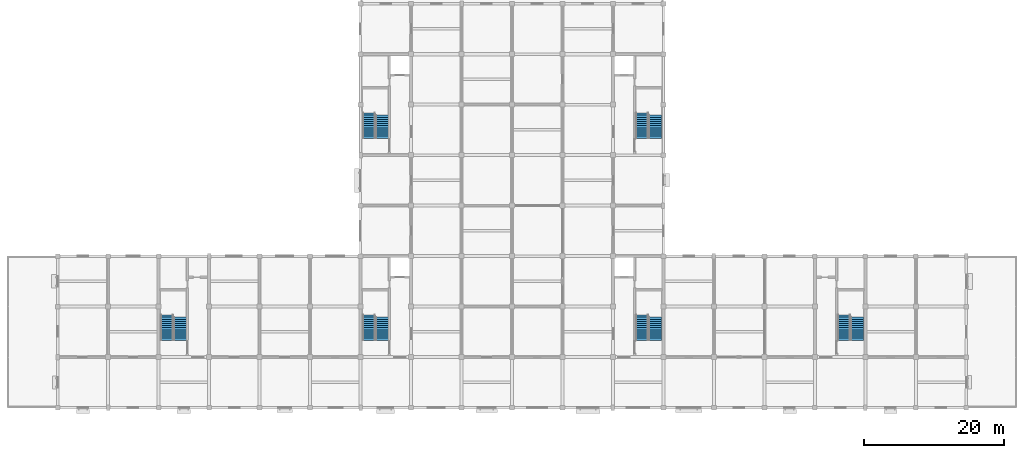
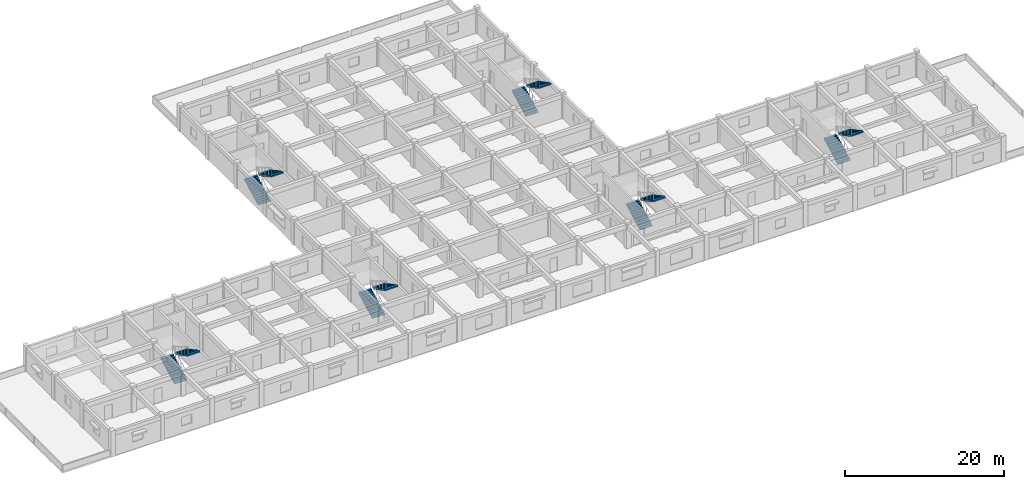
# One storey, part 11 of 16: 12 stair flights, 6 elements without a shape of their own.
"""IFC4 building model written with IfcOpenShell, lengths in metres."""

from ifc_helpers import new_model, si_unit, direction, frame, origin, place, context, subcontext, project, spatial, polyline, outline, extrude, material, type_object, element, aggregate, save


model = new_model("IFC4")

# Units and contexts
model_context = context("Model", 3, precision=1e-05, world=origin(), true_north=direction((0.0, 1.0)))
body_context = subcontext(model_context, "Body", "Model", "MODEL_VIEW")
ifc_project = project(units=[si_unit("LENGTHUNIT", "METRE"), si_unit("AREAUNIT", "SQUARE_METRE"), si_unit("VOLUMEUNIT", "CUBIC_METRE"), si_unit("PLANEANGLEUNIT", "RADIAN"), si_unit("MASSUNIT", "GRAM", prefix="KILO")], contexts=[model_context])

# Site, building, storey
site_placement = place(None, origin())
site = spatial("IfcSite", under=ifc_project, at=site_placement, CompositionType="ELEMENT")
building_placement = place(site_placement, origin())
building = spatial("IfcBuilding", under=site, at=building_placement, Name="Cendaluz Park School", CompositionType="ELEMENT")
storey_placement = place(building_placement, frame((0.0, 0.0, 22.60009765625)))
storey = spatial("IfcBuildingStorey", under=building, at=storey_placement, Name="L05", CompositionType="ELEMENT", Elevation=22.60009765625)

# Stair, stair flight
ifc_material = material(Name="Concrete C40/50", Category="concrete")
stair_type = type_object("IfcStairType", Name="ST-400-180", PredefinedType="HALF_TURN_STAIR", material=ifc_material)
stair_1_placement = place(storey_placement, origin())
stair_1 = element("IfcStair", 1, at=stair_1_placement, inside=storey, type_object=stair_type, Name="ST-L05-C1", PredefinedType="HALF_TURN_STAIR")
stair_flight_type_1 = type_object("IfcStairFlightType", Name="SF-12-160-180", PredefinedType="STRAIGHT", material=ifc_material)
stair_flight_1_placement = place(storey_placement, frame((67.860107421875, 20.10009765625, 2.079833984375), z_axis=(0.0, 0.0, 1.0), x_axis=(0.0, -1.0, 0.0)))
stair_flight_1 = element("IfcStairFlight", 2, at=stair_flight_1_placement, type_object=stair_flight_type_1, Name="SF-L05-C1-2", NumberOfRisers=12, NumberOfTreads=11, PredefinedType="STRAIGHT", RiserHeight=0.16, TreadLength=0.3, context=body_context, shape_type="SweptSolid", body=[
    extrude(outline(polyline([(0.0, 0.0), (0.0, 0.159912109375), (0.300048828125, 0.159912109375), (0.300048828125, 0.320068359375), (0.60009765625, 0.320068359375), (0.60009765625, 0.47998046875), (0.89990234375, 0.47998046875), (0.89990234375, 0.639892578125), (1.199951171875, 0.639892578125), (1.199951171875, 0.800048828125), (1.5, 0.800048828125), (1.5, 0.9599609375), (1.800048828125, 0.9599609375), (1.800048828125, 1.1201171875), (2.10009765625, 1.1201171875), (2.10009765625, 1.280029296875), (2.39990234375, 1.280029296875), (2.39990234375, 1.43994140625), (2.699951171875, 1.43994140625), (2.699951171875, 1.60009765625), (3.0, 1.60009765625), (3.0, 1.760009765625), (3.300048828125, 1.760009765625), (3.300048828125, 1.919921875), (3.300048828125, 1.55615234375), (0.38232421875, 0.0), (0.0, 0.0)])), frame((0.0, 0.89990234375, 0.0), z_axis=(0.0, -1.0, 0.0), x_axis=(1.0, 0.0, 0.0)), (0.0, 0.0, 1.0), 1.800048828125),
])

stair_2_placement = place(storey_placement, origin())
stair_2 = element("IfcStair", 3, at=stair_2_placement, inside=storey, type_object=stair_type, Name="ST-L05-C2", PredefinedType="HALF_TURN_STAIR")
stair_flight_2_placement = place(storey_placement, frame((106.81005859375, 20.10009765625, 2.079833984375), z_axis=(0.0, 0.0, 1.0), x_axis=(0.0, -1.0, 0.0)))
stair_flight_2 = element("IfcStairFlight", 4, at=stair_flight_2_placement, type_object=stair_flight_type_1, Name="SF-L05-C2-2", NumberOfRisers=12, NumberOfTreads=11, PredefinedType="STRAIGHT", RiserHeight=0.16, TreadLength=0.3, context=body_context, shape_type="SweptSolid", body=[
    extrude(outline(polyline([(0.0, 0.0), (0.0, 0.159912109375), (0.300048828125, 0.159912109375), (0.300048828125, 0.320068359375), (0.60009765625, 0.320068359375), (0.60009765625, 0.47998046875), (0.89990234375, 0.47998046875), (0.89990234375, 0.639892578125), (1.199951171875, 0.639892578125), (1.199951171875, 0.800048828125), (1.5, 0.800048828125), (1.5, 0.9599609375), (1.800048828125, 0.9599609375), (1.800048828125, 1.1201171875), (2.10009765625, 1.1201171875), (2.10009765625, 1.280029296875), (2.39990234375, 1.280029296875), (2.39990234375, 1.43994140625), (2.699951171875, 1.43994140625), (2.699951171875, 1.60009765625), (3.0, 1.60009765625), (3.0, 1.760009765625), (3.300048828125, 1.760009765625), (3.300048828125, 1.919921875), (3.300048828125, 1.55615234375), (0.38232421875, 0.0), (0.0, 0.0)])), frame((0.0, 0.89990234375, 0.0), z_axis=(0.0, -1.0, 0.0), x_axis=(1.0, 0.0, 0.0)), (0.0, 0.0, 1.0), 1.800048828125),
])

stair_3_placement = place(storey_placement, origin())
stair_3 = element("IfcStair", 5, at=stair_3_placement, inside=storey, type_object=stair_type, Name="ST-L05-C3", PredefinedType="HALF_TURN_STAIR")
stair_flight_3_placement = place(storey_placement, frame((67.860107421875, 48.89990234375, 2.079833984375), z_axis=(0.0, 0.0, 1.0), x_axis=(0.0, -1.0, 0.0)))
stair_flight_3 = element("IfcStairFlight", 6, at=stair_flight_3_placement, type_object=stair_flight_type_1, Name="SF-L05-C3-2", NumberOfRisers=12, NumberOfTreads=11, PredefinedType="STRAIGHT", RiserHeight=0.16, TreadLength=0.3, context=body_context, shape_type="SweptSolid", body=[
    extrude(outline(polyline([(0.0, 0.0), (0.0, 0.159912109375), (0.300048828125, 0.159912109375), (0.300048828125, 0.320068359375), (0.60009765625, 0.320068359375), (0.60009765625, 0.47998046875), (0.89990234375, 0.47998046875), (0.89990234375, 0.639892578125), (1.199951171875, 0.639892578125), (1.199951171875, 0.800048828125), (1.5, 0.800048828125), (1.5, 0.9599609375), (1.800048828125, 0.9599609375), (1.800048828125, 1.1201171875), (2.10009765625, 1.1201171875), (2.10009765625, 1.280029296875), (2.39990234375, 1.280029296875), (2.39990234375, 1.43994140625), (2.699951171875, 1.43994140625), (2.699951171875, 1.60009765625), (3.0, 1.60009765625), (3.0, 1.760009765625), (3.300048828125, 1.760009765625), (3.300048828125, 1.919921875), (3.300048828125, 1.55615234375), (0.38232421875, 0.0), (0.0, 0.0)])), frame((0.0, 0.89990234375, 0.0), z_axis=(0.0, -1.0, 0.0), x_axis=(1.0, 0.0, 0.0)), (0.0, 0.0, 1.0), 1.800048828125),
])

stair_4_placement = place(storey_placement, origin())
stair_4 = element("IfcStair", 7, at=stair_4_placement, inside=storey, type_object=stair_type, Name="ST-L05-C4", PredefinedType="HALF_TURN_STAIR")
stair_flight_4_placement = place(storey_placement, frame((106.81005859375, 48.89990234375, 2.079833984375), z_axis=(0.0, 0.0, 1.0), x_axis=(0.0, -1.0, 0.0)))
stair_flight_4 = element("IfcStairFlight", 8, at=stair_flight_4_placement, type_object=stair_flight_type_1, Name="SF-L05-C4-2", NumberOfRisers=12, NumberOfTreads=11, PredefinedType="STRAIGHT", RiserHeight=0.16, TreadLength=0.3, context=body_context, shape_type="SweptSolid", body=[
    extrude(outline(polyline([(0.0, 0.0), (0.0, 0.159912109375), (0.300048828125, 0.159912109375), (0.300048828125, 0.320068359375), (0.60009765625, 0.320068359375), (0.60009765625, 0.47998046875), (0.89990234375, 0.47998046875), (0.89990234375, 0.639892578125), (1.199951171875, 0.639892578125), (1.199951171875, 0.800048828125), (1.5, 0.800048828125), (1.5, 0.9599609375), (1.800048828125, 0.9599609375), (1.800048828125, 1.1201171875), (2.10009765625, 1.1201171875), (2.10009765625, 1.280029296875), (2.39990234375, 1.280029296875), (2.39990234375, 1.43994140625), (2.699951171875, 1.43994140625), (2.699951171875, 1.60009765625), (3.0, 1.60009765625), (3.0, 1.760009765625), (3.300048828125, 1.760009765625), (3.300048828125, 1.919921875), (3.300048828125, 1.55615234375), (0.38232421875, 0.0), (0.0, 0.0)])), frame((0.0, 0.89990234375, 0.0), z_axis=(0.0, -1.0, 0.0), x_axis=(1.0, 0.0, 0.0)), (0.0, 0.0, 1.0), 1.800048828125),
])

stair_5_placement = place(storey_placement, origin())
stair_5 = element("IfcStair", 9, at=stair_5_placement, inside=storey, type_object=stair_type, Name="ST-L05-C5", PredefinedType="HALF_TURN_STAIR")
stair_flight_5_placement = place(storey_placement, frame((39.06005859375, 20.10009765625, 2.079833984375), z_axis=(0.0, 0.0, 1.0), x_axis=(0.0, -1.0, 0.0)))
stair_flight_5 = element("IfcStairFlight", 10, at=stair_flight_5_placement, type_object=stair_flight_type_1, Name="SF-L05-C5-2", NumberOfRisers=12, NumberOfTreads=11, PredefinedType="STRAIGHT", RiserHeight=0.16, TreadLength=0.3, context=body_context, shape_type="SweptSolid", body=[
    extrude(outline(polyline([(0.0, 0.0), (0.0, 0.159912109375), (0.300048828125, 0.159912109375), (0.300048828125, 0.320068359375), (0.60009765625, 0.320068359375), (0.60009765625, 0.47998046875), (0.89990234375, 0.47998046875), (0.89990234375, 0.639892578125), (1.199951171875, 0.639892578125), (1.199951171875, 0.800048828125), (1.5, 0.800048828125), (1.5, 0.9599609375), (1.800048828125, 0.9599609375), (1.800048828125, 1.1201171875), (2.10009765625, 1.1201171875), (2.10009765625, 1.280029296875), (2.39990234375, 1.280029296875), (2.39990234375, 1.43994140625), (2.699951171875, 1.43994140625), (2.699951171875, 1.60009765625), (3.0, 1.60009765625), (3.0, 1.760009765625), (3.300048828125, 1.760009765625), (3.300048828125, 1.919921875), (3.300048828125, 1.55615234375), (0.38232421875, 0.0), (0.0, 0.0)])), frame((0.0, 0.89990234375, 0.0), z_axis=(0.0, -1.0, 0.0), x_axis=(1.0, 0.0, 0.0)), (0.0, 0.0, 1.0), 1.800048828125),
])

stair_6_placement = place(storey_placement, origin())
stair_6 = element("IfcStair", 11, at=stair_6_placement, inside=storey, type_object=stair_type, Name="ST-L05-C6", PredefinedType="HALF_TURN_STAIR")
stair_flight_6_placement = place(storey_placement, frame((135.610107421875, 20.10009765625, 2.079833984375), z_axis=(0.0, 0.0, 1.0), x_axis=(0.0, -1.0, 0.0)))
stair_flight_6 = element("IfcStairFlight", 12, at=stair_flight_6_placement, type_object=stair_flight_type_1, Name="SF-L05-C6-2", NumberOfRisers=12, NumberOfTreads=11, PredefinedType="STRAIGHT", RiserHeight=0.16, TreadLength=0.3, context=body_context, shape_type="SweptSolid", body=[
    extrude(outline(polyline([(0.0, 0.0), (0.0, 0.159912109375), (0.300048828125, 0.159912109375), (0.300048828125, 0.320068359375), (0.60009765625, 0.320068359375), (0.60009765625, 0.47998046875), (0.89990234375, 0.47998046875), (0.89990234375, 0.639892578125), (1.199951171875, 0.639892578125), (1.199951171875, 0.800048828125), (1.5, 0.800048828125), (1.5, 0.9599609375), (1.800048828125, 0.9599609375), (1.800048828125, 1.1201171875), (2.10009765625, 1.1201171875), (2.10009765625, 1.280029296875), (2.39990234375, 1.280029296875), (2.39990234375, 1.43994140625), (2.699951171875, 1.43994140625), (2.699951171875, 1.60009765625), (3.0, 1.60009765625), (3.0, 1.760009765625), (3.300048828125, 1.760009765625), (3.300048828125, 1.919921875), (3.300048828125, 1.55615234375), (0.38232421875, 0.0), (0.0, 0.0)])), frame((0.0, 0.89990234375, 0.0), z_axis=(0.0, -1.0, 0.0), x_axis=(1.0, 0.0, 0.0)), (0.0, 0.0, 1.0), 1.800048828125),
])

# Stair flight
stair_flight_type_2 = type_object("IfcStairFlightType", Name="SF-13-160-180", PredefinedType="STRAIGHT", material=ifc_material)
stair_flight_7_placement = place(storey_placement, frame((65.989990234375, 16.800048828125, 0.0), z_axis=(0.0, 0.0, 1.0), x_axis=(0.0, 1.0, 0.0)))
stair_flight_7 = element("IfcStairFlight", 13, at=stair_flight_7_placement, type_object=stair_flight_type_2, Name="SF-L05-C1-1", NumberOfRisers=13, NumberOfTreads=12, PredefinedType="STRAIGHT", RiserHeight=0.16, TreadLength=0.3, context=body_context, shape_type="SweptSolid", body=[
    extrude(outline(polyline([(0.0, 0.0), (0.0, 0.159912109375), (0.300048828125, 0.159912109375), (0.300048828125, 0.320068359375), (0.60009765625, 0.320068359375), (0.60009765625, 0.47998046875), (0.89990234375, 0.47998046875), (0.89990234375, 0.639892578125), (1.199951171875, 0.639892578125), (1.199951171875, 0.800048828125), (1.5, 0.800048828125), (1.5, 0.9599609375), (1.800048828125, 0.9599609375), (1.800048828125, 1.1201171875), (2.10009765625, 1.1201171875), (2.10009765625, 1.280029296875), (2.39990234375, 1.280029296875), (2.39990234375, 1.43994140625), (2.699951171875, 1.43994140625), (2.699951171875, 1.60009765625), (3.0, 1.60009765625), (3.0, 1.760009765625), (3.300048828125, 1.760009765625), (3.300048828125, 1.919921875), (3.60009765625, 1.919921875), (3.60009765625, 2.080078125), (3.60009765625, 1.716064453125), (0.38232421875, 0.0), (0.0, 0.0)])), frame((0.0, 0.89990234375, 0.0), z_axis=(0.0, -1.0, 0.0), x_axis=(1.0, 0.0, 0.0)), (0.0, 0.0, 1.0), 1.800048828125),
])

aggregate(stair_1, [stair_flight_7, stair_flight_1])

stair_flight_8_placement = place(storey_placement, frame((104.93994140625, 16.800048828125, 0.0), z_axis=(0.0, 0.0, 1.0), x_axis=(0.0, 1.0, 0.0)))
stair_flight_8 = element("IfcStairFlight", 14, at=stair_flight_8_placement, type_object=stair_flight_type_2, Name="SF-L05-C2-1", NumberOfRisers=13, NumberOfTreads=12, PredefinedType="STRAIGHT", RiserHeight=0.16, TreadLength=0.3, context=body_context, shape_type="SweptSolid", body=[
    extrude(outline(polyline([(0.0, 0.0), (0.0, 0.159912109375), (0.300048828125, 0.159912109375), (0.300048828125, 0.320068359375), (0.60009765625, 0.320068359375), (0.60009765625, 0.47998046875), (0.89990234375, 0.47998046875), (0.89990234375, 0.639892578125), (1.199951171875, 0.639892578125), (1.199951171875, 0.800048828125), (1.5, 0.800048828125), (1.5, 0.9599609375), (1.800048828125, 0.9599609375), (1.800048828125, 1.1201171875), (2.10009765625, 1.1201171875), (2.10009765625, 1.280029296875), (2.39990234375, 1.280029296875), (2.39990234375, 1.43994140625), (2.699951171875, 1.43994140625), (2.699951171875, 1.60009765625), (3.0, 1.60009765625), (3.0, 1.760009765625), (3.300048828125, 1.760009765625), (3.300048828125, 1.919921875), (3.60009765625, 1.919921875), (3.60009765625, 2.080078125), (3.60009765625, 1.716064453125), (0.38232421875, 0.0), (0.0, 0.0)])), frame((0.0, 0.89990234375, 0.0), z_axis=(0.0, -1.0, 0.0), x_axis=(1.0, 0.0, 0.0)), (0.0, 0.0, 1.0), 1.800048828125),
])

aggregate(stair_2, [stair_flight_8, stair_flight_2])

stair_flight_9_placement = place(storey_placement, frame((65.989990234375, 45.60009765625, 0.0), z_axis=(0.0, 0.0, 1.0), x_axis=(0.0, 1.0, 0.0)))
stair_flight_9 = element("IfcStairFlight", 15, at=stair_flight_9_placement, type_object=stair_flight_type_2, Name="SF-L05-C3-1", NumberOfRisers=13, NumberOfTreads=12, PredefinedType="STRAIGHT", RiserHeight=0.16, TreadLength=0.3, context=body_context, shape_type="SweptSolid", body=[
    extrude(outline(polyline([(0.0, 0.0), (0.0, 0.159912109375), (0.300048828125, 0.159912109375), (0.300048828125, 0.320068359375), (0.60009765625, 0.320068359375), (0.60009765625, 0.47998046875), (0.89990234375, 0.47998046875), (0.89990234375, 0.639892578125), (1.199951171875, 0.639892578125), (1.199951171875, 0.800048828125), (1.5, 0.800048828125), (1.5, 0.9599609375), (1.800048828125, 0.9599609375), (1.800048828125, 1.1201171875), (2.10009765625, 1.1201171875), (2.10009765625, 1.280029296875), (2.39990234375, 1.280029296875), (2.39990234375, 1.43994140625), (2.699951171875, 1.43994140625), (2.699951171875, 1.60009765625), (3.0, 1.60009765625), (3.0, 1.760009765625), (3.300048828125, 1.760009765625), (3.300048828125, 1.919921875), (3.60009765625, 1.919921875), (3.60009765625, 2.080078125), (3.60009765625, 1.716064453125), (0.38232421875, 0.0), (0.0, 0.0)])), frame((0.0, 0.89990234375, 0.0), z_axis=(0.0, -1.0, 0.0), x_axis=(1.0, 0.0, 0.0)), (0.0, 0.0, 1.0), 1.800048828125),
])

aggregate(stair_3, [stair_flight_9, stair_flight_3])

stair_flight_10_placement = place(storey_placement, frame((104.93994140625, 45.60009765625, 0.0), z_axis=(0.0, 0.0, 1.0), x_axis=(0.0, 1.0, 0.0)))
stair_flight_10 = element("IfcStairFlight", 16, at=stair_flight_10_placement, type_object=stair_flight_type_2, Name="SF-L05-C4-1", NumberOfRisers=13, NumberOfTreads=12, PredefinedType="STRAIGHT", RiserHeight=0.16, TreadLength=0.3, context=body_context, shape_type="SweptSolid", body=[
    extrude(outline(polyline([(0.0, 0.0), (0.0, 0.159912109375), (0.300048828125, 0.159912109375), (0.300048828125, 0.320068359375), (0.60009765625, 0.320068359375), (0.60009765625, 0.47998046875), (0.89990234375, 0.47998046875), (0.89990234375, 0.639892578125), (1.199951171875, 0.639892578125), (1.199951171875, 0.800048828125), (1.5, 0.800048828125), (1.5, 0.9599609375), (1.800048828125, 0.9599609375), (1.800048828125, 1.1201171875), (2.10009765625, 1.1201171875), (2.10009765625, 1.280029296875), (2.39990234375, 1.280029296875), (2.39990234375, 1.43994140625), (2.699951171875, 1.43994140625), (2.699951171875, 1.60009765625), (3.0, 1.60009765625), (3.0, 1.760009765625), (3.300048828125, 1.760009765625), (3.300048828125, 1.919921875), (3.60009765625, 1.919921875), (3.60009765625, 2.080078125), (3.60009765625, 1.716064453125), (0.38232421875, 0.0), (0.0, 0.0)])), frame((0.0, 0.89990234375, 0.0), z_axis=(0.0, -1.0, 0.0), x_axis=(1.0, 0.0, 0.0)), (0.0, 0.0, 1.0), 1.800048828125),
])

aggregate(stair_4, [stair_flight_10, stair_flight_4])

stair_flight_11_placement = place(storey_placement, frame((37.18994140625, 16.800048828125, 0.0), z_axis=(0.0, 0.0, 1.0), x_axis=(0.0, 1.0, 0.0)))
stair_flight_11 = element("IfcStairFlight", 17, at=stair_flight_11_placement, type_object=stair_flight_type_2, Name="SF-L05-C5-1", NumberOfRisers=13, NumberOfTreads=12, PredefinedType="STRAIGHT", RiserHeight=0.16, TreadLength=0.3, context=body_context, shape_type="SweptSolid", body=[
    extrude(outline(polyline([(0.0, 0.0), (0.0, 0.159912109375), (0.300048828125, 0.159912109375), (0.300048828125, 0.320068359375), (0.60009765625, 0.320068359375), (0.60009765625, 0.47998046875), (0.89990234375, 0.47998046875), (0.89990234375, 0.639892578125), (1.199951171875, 0.639892578125), (1.199951171875, 0.800048828125), (1.5, 0.800048828125), (1.5, 0.9599609375), (1.800048828125, 0.9599609375), (1.800048828125, 1.1201171875), (2.10009765625, 1.1201171875), (2.10009765625, 1.280029296875), (2.39990234375, 1.280029296875), (2.39990234375, 1.43994140625), (2.699951171875, 1.43994140625), (2.699951171875, 1.60009765625), (3.0, 1.60009765625), (3.0, 1.760009765625), (3.300048828125, 1.760009765625), (3.300048828125, 1.919921875), (3.60009765625, 1.919921875), (3.60009765625, 2.080078125), (3.60009765625, 1.716064453125), (0.38232421875, 0.0), (0.0, 0.0)])), frame((0.0, 0.89990234375, 0.0), z_axis=(0.0, -1.0, 0.0), x_axis=(1.0, 0.0, 0.0)), (0.0, 0.0, 1.0), 1.800048828125),
])

aggregate(stair_5, [stair_flight_11, stair_flight_5])

stair_flight_12_placement = place(storey_placement, frame((133.739990234375, 16.800048828125, 0.0), z_axis=(0.0, 0.0, 1.0), x_axis=(0.0, 1.0, 0.0)))
stair_flight_12 = element("IfcStairFlight", 18, at=stair_flight_12_placement, type_object=stair_flight_type_2, Name="SF-L05-C6-1", NumberOfRisers=13, NumberOfTreads=12, PredefinedType="STRAIGHT", RiserHeight=0.16, TreadLength=0.3, context=body_context, shape_type="SweptSolid", body=[
    extrude(outline(polyline([(0.0, 0.0), (0.0, 0.159912109375), (0.300048828125, 0.159912109375), (0.300048828125, 0.320068359375), (0.60009765625, 0.320068359375), (0.60009765625, 0.47998046875), (0.89990234375, 0.47998046875), (0.89990234375, 0.639892578125), (1.199951171875, 0.639892578125), (1.199951171875, 0.800048828125), (1.5, 0.800048828125), (1.5, 0.9599609375), (1.800048828125, 0.9599609375), (1.800048828125, 1.1201171875), (2.10009765625, 1.1201171875), (2.10009765625, 1.280029296875), (2.39990234375, 1.280029296875), (2.39990234375, 1.43994140625), (2.699951171875, 1.43994140625), (2.699951171875, 1.60009765625), (3.0, 1.60009765625), (3.0, 1.760009765625), (3.300048828125, 1.760009765625), (3.300048828125, 1.919921875), (3.60009765625, 1.919921875), (3.60009765625, 2.080078125), (3.60009765625, 1.716064453125), (0.38232421875, 0.0), (0.0, 0.0)])), frame((0.0, 0.89990234375, 0.0), z_axis=(0.0, -1.0, 0.0), x_axis=(1.0, 0.0, 0.0)), (0.0, 0.0, 1.0), 1.800048828125),
])

aggregate(stair_6, [stair_flight_12, stair_flight_6])

save(model, "model.ifc")
